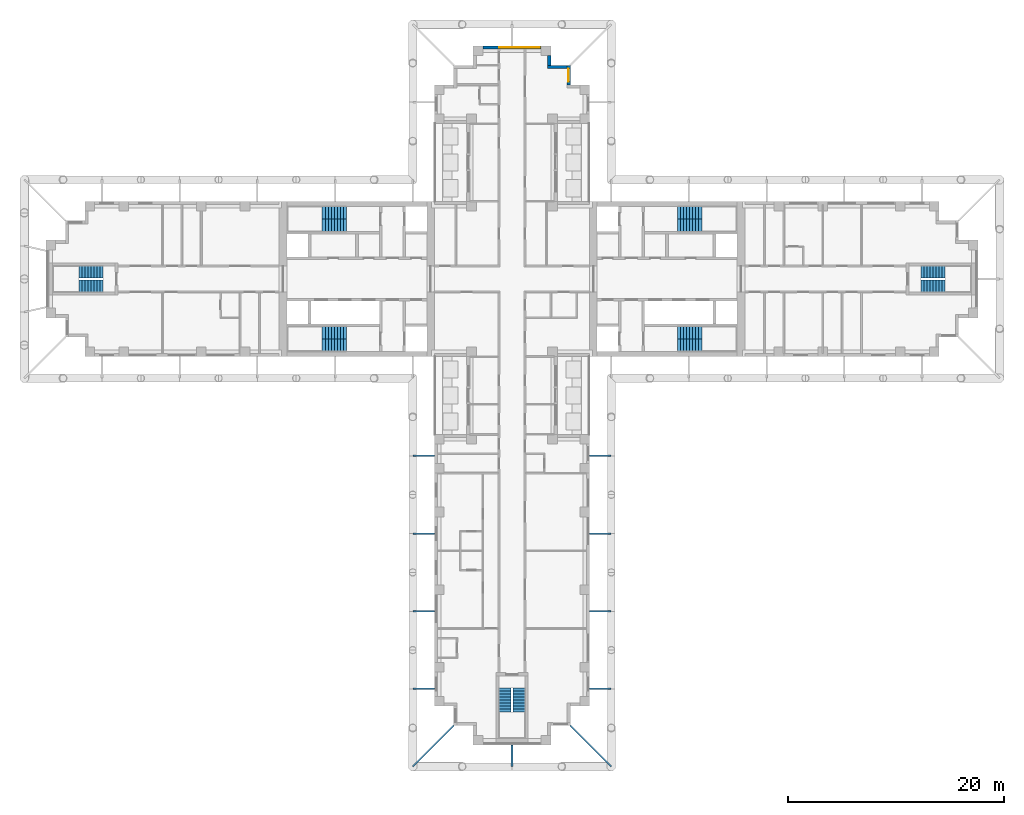
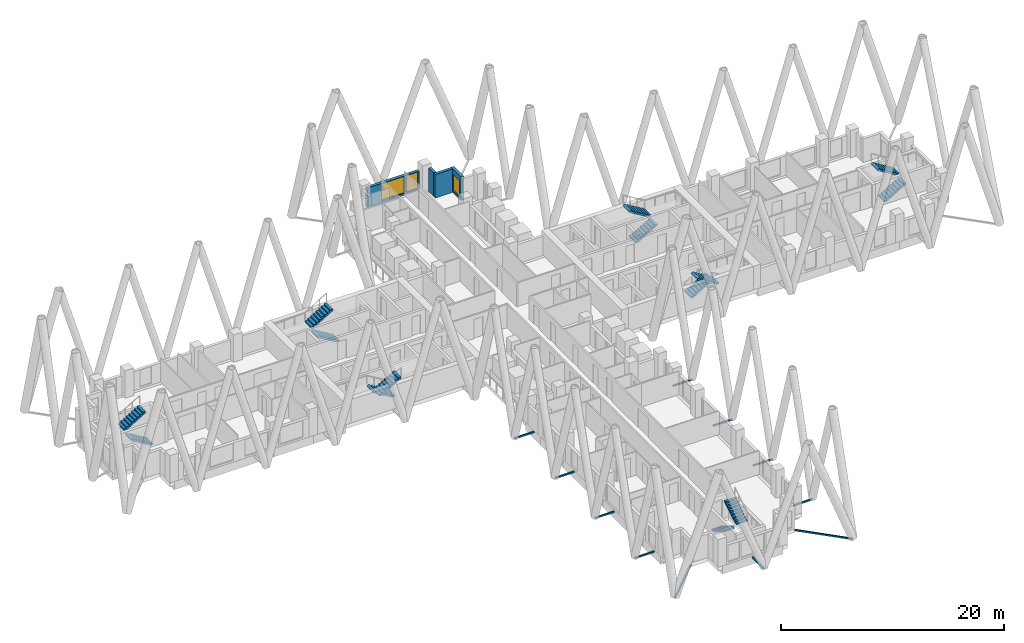
# One storey, part 11 of 14: 14 stair flights, 11 discrete accessories, 4 walls, 3 windows, 3 openings, 7 elements without a shape of their own.
"""IFC4 building model written with IfcOpenShell, lengths in metres."""

import ifcopenshell
import ifcopenshell.guid

model = None  # the IFC model being written
_history = None  # IfcOwnerHistory: only IFC2X3 demands one
_inside = {}  # id of a spatial element -> (the spatial element, [elements in it])
_under = {}  # id of a project, library or spatial element -> (it, [spatial elements below it])
_declared = {}  # id of a project -> (the project, [libraries it declares])
_typed = {}  # id of a type object -> (the type object, [elements of that type])
_made_of = {}  # id of a material, layer set ... -> (it, [elements and type objects made of it])


def new_model(schema):
    """Start an empty IFC model of exactly this schema.

    Asked for "IFC4X3", IfcOpenShell would pick the latest addendum, in which some entities
    have other attributes; the version numbers below select the first issue.
    IFC2X3 requires an IfcOwnerHistory on every rooted entity: one is made here for all.
    """
    global model, _history
    if schema == "IFC4X3":
        model = ifcopenshell.file(schema_version=(4, 3, 0, 0))
    else:
        model = ifcopenshell.file(schema=schema)
    _inside.clear()
    _under.clear()
    _declared.clear()
    _typed.clear()
    _made_of.clear()
    _history = None
    if model.schema == "IFC2X3":
        org = make("IfcOrganization", Name="unknown")
        user = make(
            "IfcPersonAndOrganization",
            ThePerson=make("IfcPerson", FamilyName="unknown"),
            TheOrganization=org,
        )
        app = make(
            "IfcApplication",
            ApplicationDeveloper=org,
            Version="unknown",
            ApplicationFullName="unknown",
            ApplicationIdentifier="unknown",
        )
        _history = make(
            "IfcOwnerHistory",
            OwningUser=user,
            OwningApplication=app,
            ChangeAction="ADDED",
            CreationDate=0,
        )
    return model


def make(cls, **values):
    """One entity of the class cls with the attributes given. An attribute that is None is left unset."""
    return model.create_entity(
        cls, **{name: value for name, value in values.items() if value is not None}
    )


def rooted(cls, **values):
    """An entity with a GlobalId (a new one), such as an element, a storey or a relation."""
    return make(cls, GlobalId=ifcopenshell.guid.new(), OwnerHistory=_history, **values)


def si_unit(unit_type, name, prefix=None):
    """IfcSIUnit, for example si_unit("LENGTHUNIT", "METRE", prefix="MILLI")."""
    return make("IfcSIUnit", UnitType=unit_type, Prefix=prefix, Name=name)


def assignment(units):
    """IfcUnitAssignment: the units of a project."""
    return None if units is None else make("IfcUnitAssignment", Units=units)


def point(xyz):
    """IfcCartesianPoint."""
    return None if xyz is None else make("IfcCartesianPoint", Coordinates=xyz)


def direction(xyz):
    """IfcDirection."""
    return None if xyz is None else make("IfcDirection", DirectionRatios=xyz)


def frame(location, z_axis=None, x_axis=None):
    """IfcAxis2Placement3D, a coordinate frame: its origin and axes. An axis left out is left unset."""
    return make(
        "IfcAxis2Placement3D",
        Location=point(location),
        Axis=direction(z_axis),
        RefDirection=direction(x_axis),
    )


def frame_2d(location, x_axis=None):
    """IfcAxis2Placement2D, a coordinate frame in the plane: its origin and x axis."""
    return make(
        "IfcAxis2Placement2D", Location=point(location), RefDirection=direction(x_axis)
    )


def origin():
    """The frame at (0, 0, 0) with its axes left unset."""
    return frame((0.0, 0.0, 0.0))


def origin_2d():
    """The frame at (0, 0) in the plane with its x axis left unset."""
    return frame_2d((0.0, 0.0))


def place(relative_to, where):
    """IfcLocalPlacement: puts the frame where relative to a parent placement (None: the world)."""
    return make(
        "IfcLocalPlacement", PlacementRelTo=relative_to, RelativePlacement=where
    )


def context(
    kind, dimensions, precision=None, world=None, true_north=None, identifier=None
):
    """IfcGeometricRepresentationContext, for example the 3D "Model" context."""
    return make(
        "IfcGeometricRepresentationContext",
        ContextIdentifier=identifier,
        ContextType=kind,
        CoordinateSpaceDimension=dimensions,
        Precision=precision,
        WorldCoordinateSystem=world,
        TrueNorth=true_north,
    )


def subcontext(parent, identifier, kind, view, scale=None):
    """IfcGeometricRepresentationSubContext, for example "Body" below "Model"."""
    return make(
        "IfcGeometricRepresentationSubContext",
        ContextIdentifier=identifier,
        ContextType=kind,
        ParentContext=parent,
        TargetScale=scale,
        TargetView=view,
    )


def project(units=None, contexts=None):
    """IfcProject with its units and contexts."""
    return rooted(
        "IfcProject",
        Name="project",
        RepresentationContexts=contexts,
        UnitsInContext=assignment(units),
    )


def spatial(cls, under=None, at=None, **own):
    """A site, building, storey or space (cls), placed at a placement, below another one or the project."""
    s = rooted(cls, ObjectPlacement=at, **own)
    if under is not None:
        _under.setdefault(under.id(), (under, []))[1].append(s)
    return s


def polyline(points):
    """IfcPolyline through the points."""
    return make("IfcPolyline", Points=[point(p) for p in points])


def profile(cls, at=None, kind="AREA", **sizes):
    """A parametric profile (cls). Its sizes go by their IFC names, for example OverallWidth=200.0."""
    return make(cls, ProfileType=kind, Position=at, **sizes)


def rectangle(**sizes):
    """IfcRectangleProfileDef."""
    return profile("IfcRectangleProfileDef", **sizes)


def hollow_rectangle(**sizes):
    """IfcRectangleHollowProfileDef."""
    return profile("IfcRectangleHollowProfileDef", **sizes)


def outline(outer, holes=None, kind="AREA"):
    """IfcArbitraryClosedProfileDef: a profile drawn as a closed curve; with holes, ...WithVoids."""
    if holes is None:
        return make("IfcArbitraryClosedProfileDef", ProfileType=kind, OuterCurve=outer)
    return make(
        "IfcArbitraryProfileDefWithVoids",
        ProfileType=kind,
        OuterCurve=outer,
        InnerCurves=holes,
    )


def extrude(swept, where, along, depth):
    """IfcExtrudedAreaSolid: the profile swept, set in the frame where, extruded along a direction by depth."""
    return make(
        "IfcExtrudedAreaSolid",
        SweptArea=swept,
        Position=where,
        ExtrudedDirection=direction(along),
        Depth=depth,
    )


def shape(context_of_items, identifier, shape_type, items):
    """IfcShapeRepresentation: the items that make up one representation, for example the "Body"."""
    return make(
        "IfcShapeRepresentation",
        ContextOfItems=context_of_items,
        RepresentationIdentifier=identifier,
        RepresentationType=shape_type,
        Items=items,
    )


def material(Name=None, Category=None):
    """IfcMaterial."""
    return make("IfcMaterial", Name=Name, Category=Category)


def layer(
    of_material, thickness, ventilated=None, Name=None, Category=None, Priority=None
):
    """IfcMaterialLayer: one layer of a wall or slab, of a material (None: an air gap)."""
    return make(
        "IfcMaterialLayer",
        Material=of_material,
        LayerThickness=thickness,
        IsVentilated=ventilated,
        Name=Name,
        Category=Category,
        Priority=Priority,
    )


def layer_set(layers, Name=None):
    """IfcMaterialLayerSet."""
    return make("IfcMaterialLayerSet", MaterialLayers=layers, LayerSetName=Name)


def made_of(thing, what):
    """Note that an element or type object is made of a material, layer set ...; save() writes the relation."""
    if what is not None:
        _made_of.setdefault(what.id(), (what, []))[1].append(thing)
    return thing


def type_object(cls, material=None, **own):
    """A type object (cls), such as IfcWallType, which elements share."""
    return made_of(rooted(cls, **own), material)


def element(
    cls,
    number,
    at=None,
    inside=None,
    cuts=None,
    type_object=None,
    material=None,
    context=None,
    identifier="Body",
    shape_type=None,
    held_by="IfcProductDefinitionShape",
    body=None,
    shapes=None,
    **own,
):
    """One element of the class cls, such as IfcWall. Its Tag is "e" and its number.

    at: its placement. inside: the storey or other place that contains it. cuts: it is an
    opening in that element (IfcRelVoidsElement). A single representation is given by context,
    identifier, shape_type and body (its items); several are given by shapes. held_by: the class
    of the entity that holds the representations. save() writes the other relations.
    """
    e = rooted(cls, Tag="e%d" % number, ObjectPlacement=at, **own)
    if body is not None:
        shapes = [shape(context, identifier, shape_type, body)]
    if shapes is not None:
        e.Representation = make(held_by, Representations=shapes)
    if inside is not None:
        _inside.setdefault(inside.id(), (inside, []))[1].append(e)
    if cuts is not None:
        rooted(
            "IfcRelVoidsElement", RelatingBuildingElement=cuts, RelatedOpeningElement=e
        )
    if type_object is not None:
        _typed.setdefault(type_object.id(), (type_object, []))[1].append(e)
    return made_of(e, material)


def fill(opening, filler):
    """IfcRelFillsElement: the door or window that sits in an opening."""
    return rooted(
        "IfcRelFillsElement",
        RelatingOpeningElement=opening,
        RelatedBuildingElement=filler,
    )


def aggregate(whole, parts):
    """IfcRelAggregates: a whole, such as a stair, and the parts it consists of."""
    return rooted("IfcRelAggregates", RelatingObject=whole, RelatedObjects=parts)


def save(model, path):
    """Write the relations noted so far, then the file.

    IfcRelAggregates (storeys below a building ...), IfcRelContainedInSpatialStructure (elements
    in a storey), IfcRelDefinesByType, IfcRelAssociatesMaterial and IfcRelDeclares: one each for
    every whole, place, type object, material and project.
    """
    for whole, parts in _under.values():
        aggregate(whole, parts)
    for where, things in _inside.values():
        rooted(
            "IfcRelContainedInSpatialStructure",
            RelatedElements=things,
            RelatingStructure=where,
        )
    for kind, things in _typed.values():
        rooted("IfcRelDefinesByType", RelatedObjects=things, RelatingType=kind)
    for what, things in _made_of.values():
        rooted("IfcRelAssociatesMaterial", RelatedObjects=things, RelatingMaterial=what)
    for by, libraries in _declared.values():
        rooted("IfcRelDeclares", RelatingContext=by, RelatedDefinitions=libraries)
    model.write(path)


model = new_model("IFC4")

# Units and contexts
model_context = context("Model", 3, precision=1e-05, world=origin(), true_north=direction((0.0, 1.0)))
body_context = subcontext(model_context, "Body", "Model", "MODEL_VIEW")
ifc_project = project(units=[si_unit("LENGTHUNIT", "METRE"), si_unit("AREAUNIT", "SQUARE_METRE"), si_unit("VOLUMEUNIT", "CUBIC_METRE"), si_unit("PLANEANGLEUNIT", "RADIAN"), si_unit("MASSUNIT", "GRAM", prefix="KILO")], contexts=[model_context])

# Site, building, storey
site_placement = place(None, origin())
site = spatial("IfcSite", under=ifc_project, at=site_placement, CompositionType="ELEMENT")
building_placement = place(site_placement, origin())
building = spatial("IfcBuilding", under=site, at=building_placement, Name="Fustian Cross Tower", CompositionType="ELEMENT")
storey_placement = place(building_placement, frame((0.0, 0.0, 78.89990234375)))
storey = spatial("IfcBuildingStorey", under=building, at=storey_placement, Name="L24", CompositionType="ELEMENT", Elevation=78.89990234375)

# Wall, opening, window
ifc_material_1 = material(Name="Dark aluminium cladding on insulated backing wall", Category="aluminium")
ifc_layer = layer(ifc_material_1, 0.300048828125)
ifc_layer_set = layer_set([ifc_layer], Name="Dark aluminium cladding on insulated backing wall")
wall_type = type_object("IfcWallType", Name="XW1 EXTERNAL WALL 300", PredefinedType="SOLIDWALL", material=ifc_layer_set)
wall_1_placement = place(storey_placement, frame((5.25, 18.0, 0.0), z_axis=(0.0, 0.0, 1.0), x_axis=(0.0, 1.0, 0.0)))
wall_1 = element("IfcWall", 1, at=wall_1_placement, inside=storey, type_object=wall_type, Name="External wall", PredefinedType="SOLIDWALL", context=body_context, shape_type="SweptSolid", body=[
    extrude(rectangle(XDim=1.800048828125, YDim=0.300048828125, at=frame_2d((0.89990234375, 0.0))), origin(), (0.0, 0.0, 1.0), 2.5751953125),
])
opening_1_placement = place(wall_1_placement, frame((0.300048828125, 0.0, 0.199951171875)))
opening_1 = element("IfcOpeningElement", 2, at=opening_1_placement, cuts=wall_1, Name="Opening WN3", PredefinedType="OPENING", context=body_context, shape_type="SweptSolid", body=[
    extrude(rectangle(XDim=1.199951171875, YDim=1.85009765625, at=frame_2d((0.60009765625, 0.925048828125))), frame((0.0, 0.159912109375, 0.0), z_axis=(0.0, -1.0, 0.0), x_axis=(1.0, 0.0, 0.0)), (0.0, 0.0, 1.0), 0.320068359375),
])
ifc_material_2 = material(Name="Dark anodised aluminium and double glazing", Category="aluminium")
window_type_1 = type_object("IfcWindowType", Name="WN3 WINDOW 1200X1850", PartitioningType="SINGLE_PANEL", PredefinedType="WINDOW", material=ifc_material_2)
window_1_placement = place(opening_1_placement, origin())
window_1 = element("IfcWindow", 3, at=window_1_placement, inside=storey, type_object=window_type_1, Name="Window", OverallHeight=1.85009765625, OverallWidth=1.199951171875, PartitioningType="SINGLE_PANEL", PredefinedType="WINDOW", context=body_context, shape_type="SweptSolid", body=[
    extrude(rectangle(XDim=1.199951171875, YDim=1.85009765625, at=frame_2d((0.60009765625, 0.925048828125))), frame((0.0, 0.030029296875, 0.0), z_axis=(0.0, -1.0, 0.0), x_axis=(1.0, 0.0, 0.0)), (0.0, 0.0, 1.0), 0.06005859375),
])
fill(opening_1, window_1)

# Walls
wall_2_placement = place(storey_placement, frame((5.10009765625, 19.64990234375, 0.0), z_axis=(0.0, 0.0, 1.0), x_axis=(-1.0, 0.0, 0.0)))
element("IfcWall", 4, at=wall_2_placement, inside=storey, type_object=wall_type, Name="External wall", PredefinedType="SOLIDWALL", context=body_context, shape_type="SweptSolid", body=[
    extrude(rectangle(XDim=1.800048828125, YDim=0.300048828125, at=frame_2d((0.89990234375, 0.0))), origin(), (0.0, 0.0, 1.0), 2.5751953125),
])
wall_3_placement = place(storey_placement, frame((3.449951171875, 19.800048828125, 0.0), z_axis=(0.0, 0.0, 1.0), x_axis=(0.0, 1.0, 0.0)))
element("IfcWall", 5, at=wall_3_placement, inside=storey, type_object=wall_type, Name="External wall", PredefinedType="SOLIDWALL", context=body_context, shape_type="SweptSolid", body=[
    extrude(rectangle(XDim=0.89990234375, YDim=0.300048828125, at=frame_2d((0.449951171875, 0.0))), origin(), (0.0, 0.0, 1.0), 2.5751953125),
])

# Wall, openings, windows
wall_4_placement = place(storey_placement, frame((2.699951171875, 21.449951171875, 0.0), z_axis=(0.0, 0.0, 1.0), x_axis=(-1.0, 0.0, 0.0)))
wall_4 = element("IfcWall", 6, at=wall_4_placement, inside=storey, type_object=wall_type, Name="External wall", PredefinedType="SOLIDWALL", context=body_context, shape_type="SweptSolid", body=[
    extrude(rectangle(XDim=5.39990234375, YDim=0.300048828125, at=frame_2d((2.699951171875, 0.0))), origin(), (0.0, 0.0, 1.0), 2.10009765625),
])
opening_2_placement = place(wall_4_placement, frame((1.5, 0.0, 0.199951171875)))
opening_2 = element("IfcOpeningElement", 7, at=opening_2_placement, cuts=wall_4, Name="Opening WN1", PredefinedType="OPENING", context=body_context, shape_type="SweptSolid", body=[
    extrude(rectangle(XDim=2.39990234375, YDim=1.85009765625, at=frame_2d((1.199951171875, 0.925048828125))), frame((0.0, 0.159912109375, 0.0), z_axis=(0.0, -1.0, 0.0), x_axis=(1.0, 0.0, 0.0)), (0.0, 0.0, 1.0), 0.320068359375),
])
opening_3_placement = place(wall_4_placement, frame((0.14990234375, 0.0, 0.199951171875)))
opening_3 = element("IfcOpeningElement", 8, at=opening_3_placement, cuts=wall_4, Name="Opening WN3", PredefinedType="OPENING", context=body_context, shape_type="SweptSolid", body=[
    extrude(rectangle(XDim=1.199951171875, YDim=1.85009765625, at=frame_2d((0.60009765625, 0.925048828125))), frame((0.0, 0.159912109375, 0.0), z_axis=(0.0, -1.0, 0.0), x_axis=(1.0, 0.0, 0.0)), (0.0, 0.0, 1.0), 0.320068359375),
])
ifc_material_3 = material(Name="Dark anodised aluminium and double glazing", Category="aluminium")
window_type_2 = type_object("IfcWindowType", Name="WN1 WINDOW 2400X1850", PartitioningType="SINGLE_PANEL", PredefinedType="WINDOW", material=ifc_material_3)
window_2_placement = place(opening_2_placement, origin())
window_2 = element("IfcWindow", 9, at=window_2_placement, inside=storey, type_object=window_type_2, Name="Window", OverallHeight=1.85009765625, OverallWidth=2.39990234375, PartitioningType="SINGLE_PANEL", PredefinedType="WINDOW", context=body_context, shape_type="SweptSolid", body=[
    extrude(rectangle(XDim=2.39990234375, YDim=1.85009765625, at=frame_2d((1.199951171875, 0.925048828125))), frame((0.0, 0.030029296875, 0.0), z_axis=(0.0, -1.0, 0.0), x_axis=(1.0, 0.0, 0.0)), (0.0, 0.0, 1.0), 0.06005859375),
])
fill(opening_2, window_2)
window_3_placement = place(opening_3_placement, origin())
window_3 = element("IfcWindow", 10, at=window_3_placement, inside=storey, type_object=window_type_1, Name="Window", OverallHeight=1.85009765625, OverallWidth=1.199951171875, PartitioningType="SINGLE_PANEL", PredefinedType="WINDOW", context=body_context, shape_type="SweptSolid", body=[
    extrude(rectangle(XDim=1.199951171875, YDim=1.85009765625, at=frame_2d((0.60009765625, 0.925048828125))), frame((0.0, 0.030029296875, 0.0), z_axis=(0.0, -1.0, 0.0), x_axis=(1.0, 0.0, 0.0)), (0.0, 0.0, 1.0), 0.06005859375),
])
fill(opening_3, window_3)

# Stair, stair flights
ifc_material_4 = material(Name="Concrete C50/60", Category="concrete")
stair_type_1 = type_object("IfcStairType", Name="STAIR 1100 HALF TURN", PredefinedType="HALF_TURN_STAIR", material=ifc_material_4)
stair_1_placement = place(storey_placement, origin())
stair_1 = element("IfcStair", 11, at=stair_1_placement, inside=storey, type_object=stair_type_1, Name="Stair ST6", PredefinedType="HALF_TURN_STAIR")
ifc_material_5 = material(Name="Concrete C50/60", Category="concrete")
stair_flight_type_1 = type_object("IfcStairFlightType", Name="STAIR FLIGHT 1100", PredefinedType="STRAIGHT", material=ifc_material_5)
stair_flight_1_placement = place(storey_placement, frame((-0.64990234375, -37.89990234375, 0.0), z_axis=(0.0, 0.0, 1.0), x_axis=(0.0, -1.0, 0.0)))
stair_flight_1 = element("IfcStairFlight", 12, at=stair_flight_1_placement, type_object=stair_flight_type_1, Name="ST6 flight 1", NumberOfRisers=9, NumberOfTreads=8, PredefinedType="STRAIGHT", RiserHeight=0.166666667, TreadLength=0.28, context=body_context, shape_type="SweptSolid", body=[
    extrude(outline(polyline([(0.0, 0.0), (0.0, 0.166748046875), (0.280029296875, 0.166748046875), (0.280029296875, 0.333251953125), (0.56005859375, 0.333251953125), (0.56005859375, 0.5), (0.840087890625, 0.5), (0.840087890625, 0.666748046875), (1.1201171875, 0.666748046875), (1.1201171875, 0.833251953125), (1.39990234375, 0.833251953125), (1.39990234375, 1.0), (1.679931640625, 1.0), (1.679931640625, 1.166748046875), (1.9599609375, 1.166748046875), (1.9599609375, 1.333251953125), (2.239990234375, 1.333251953125), (2.239990234375, 1.5), (2.239990234375, 1.158935546875), (0.29296875, 0.0), (0.0, 0.0)])), frame((0.0, 0.550048828125, 0.0), z_axis=(0.0, -1.0, 0.0), x_axis=(1.0, 0.0, 0.0)), (0.0, 0.0, 1.0), 1.10009765625),
])
stair_flight_2_placement = place(storey_placement, frame((0.64990234375, -40.139892578125, 1.5), z_axis=(0.0, 0.0, 1.0), x_axis=(0.0, 1.0, 0.0)))
stair_flight_2 = element("IfcStairFlight", 13, at=stair_flight_2_placement, type_object=stair_flight_type_1, Name="ST6 flight 2", NumberOfRisers=9, NumberOfTreads=8, PredefinedType="STRAIGHT", RiserHeight=0.166666667, TreadLength=0.28, context=body_context, shape_type="SweptSolid", body=[
    extrude(outline(polyline([(0.0, 0.0), (0.0, 0.166748046875), (0.280029296875, 0.166748046875), (0.280029296875, 0.333251953125), (0.56005859375, 0.333251953125), (0.56005859375, 0.5), (0.840087890625, 0.5), (0.840087890625, 0.666748046875), (1.1201171875, 0.666748046875), (1.1201171875, 0.833251953125), (1.39990234375, 0.833251953125), (1.39990234375, 1.0), (1.679931640625, 1.0), (1.679931640625, 1.166748046875), (1.9599609375, 1.166748046875), (1.9599609375, 1.333251953125), (2.239990234375, 1.333251953125), (2.239990234375, 1.5), (2.239990234375, 1.158935546875), (0.29296875, 0.0), (0.0, 0.0)])), frame((0.0, 0.550048828125, 0.0), z_axis=(0.0, -1.0, 0.0), x_axis=(1.0, 0.0, 0.0)), (0.0, 0.0, 1.0), 1.10009765625),
])
aggregate(stair_1, [stair_flight_1, stair_flight_2])

stair_2_placement = place(storey_placement, origin())
stair_2 = element("IfcStair", 14, at=stair_2_placement, inside=storey, type_object=stair_type_1, Name="Stair ST8", PredefinedType="HALF_TURN_STAIR")
stair_flight_3_placement = place(storey_placement, frame((37.89990234375, -0.64990234375, 0.0), z_axis=(0.0, 0.0, 1.0), x_axis=(1.0, 0.0, 0.0)))
stair_flight_3 = element("IfcStairFlight", 15, at=stair_flight_3_placement, type_object=stair_flight_type_1, Name="ST8 flight 1", NumberOfRisers=9, NumberOfTreads=8, PredefinedType="STRAIGHT", RiserHeight=0.166666667, TreadLength=0.28, context=body_context, shape_type="SweptSolid", body=[
    extrude(outline(polyline([(0.0, 0.0), (0.0, 0.166748046875), (0.280029296875, 0.166748046875), (0.280029296875, 0.333251953125), (0.56005859375, 0.333251953125), (0.56005859375, 0.5), (0.840087890625, 0.5), (0.840087890625, 0.666748046875), (1.1201171875, 0.666748046875), (1.1201171875, 0.833251953125), (1.39990234375, 0.833251953125), (1.39990234375, 1.0), (1.679931640625, 1.0), (1.679931640625, 1.166748046875), (1.9599609375, 1.166748046875), (1.9599609375, 1.333251953125), (2.239990234375, 1.333251953125), (2.239990234375, 1.5), (2.239990234375, 1.158935546875), (0.29296875, 0.0), (0.0, 0.0)])), frame((0.0, 0.550048828125, 0.0), z_axis=(0.0, -1.0, 0.0), x_axis=(1.0, 0.0, 0.0)), (0.0, 0.0, 1.0), 1.10009765625),
])
stair_flight_4_placement = place(storey_placement, frame((40.139892578125, 0.64990234375, 1.5), z_axis=(0.0, 0.0, 1.0), x_axis=(-1.0, 0.0, 0.0)))
stair_flight_4 = element("IfcStairFlight", 16, at=stair_flight_4_placement, type_object=stair_flight_type_1, Name="ST8 flight 2", NumberOfRisers=9, NumberOfTreads=8, PredefinedType="STRAIGHT", RiserHeight=0.166666667, TreadLength=0.28, context=body_context, shape_type="SweptSolid", body=[
    extrude(outline(polyline([(0.0, 0.0), (0.0, 0.166748046875), (0.280029296875, 0.166748046875), (0.280029296875, 0.333251953125), (0.56005859375, 0.333251953125), (0.56005859375, 0.5), (0.840087890625, 0.5), (0.840087890625, 0.666748046875), (1.1201171875, 0.666748046875), (1.1201171875, 0.833251953125), (1.39990234375, 0.833251953125), (1.39990234375, 1.0), (1.679931640625, 1.0), (1.679931640625, 1.166748046875), (1.9599609375, 1.166748046875), (1.9599609375, 1.333251953125), (2.239990234375, 1.333251953125), (2.239990234375, 1.5), (2.239990234375, 1.158935546875), (0.29296875, 0.0), (0.0, 0.0)])), frame((0.0, 0.550048828125, 0.0), z_axis=(0.0, -1.0, 0.0), x_axis=(1.0, 0.0, 0.0)), (0.0, 0.0, 1.0), 1.10009765625),
])
aggregate(stair_2, [stair_flight_3, stair_flight_4])

stair_3_placement = place(storey_placement, origin())
stair_3 = element("IfcStair", 17, at=stair_3_placement, inside=storey, type_object=stair_type_1, Name="Stair ST9", PredefinedType="HALF_TURN_STAIR")
stair_flight_5_placement = place(storey_placement, frame((-37.89990234375, -0.64990234375, 0.0), z_axis=(0.0, 0.0, 1.0), x_axis=(-1.0, 0.0, 0.0)))
stair_flight_5 = element("IfcStairFlight", 18, at=stair_flight_5_placement, type_object=stair_flight_type_1, Name="ST9 flight 1", NumberOfRisers=9, NumberOfTreads=8, PredefinedType="STRAIGHT", RiserHeight=0.166666667, TreadLength=0.28, context=body_context, shape_type="SweptSolid", body=[
    extrude(outline(polyline([(0.0, 0.0), (0.0, 0.166748046875), (0.280029296875, 0.166748046875), (0.280029296875, 0.333251953125), (0.56005859375, 0.333251953125), (0.56005859375, 0.5), (0.840087890625, 0.5), (0.840087890625, 0.666748046875), (1.1201171875, 0.666748046875), (1.1201171875, 0.833251953125), (1.39990234375, 0.833251953125), (1.39990234375, 1.0), (1.679931640625, 1.0), (1.679931640625, 1.166748046875), (1.9599609375, 1.166748046875), (1.9599609375, 1.333251953125), (2.239990234375, 1.333251953125), (2.239990234375, 1.5), (2.239990234375, 1.158935546875), (0.29296875, 0.0), (0.0, 0.0)])), frame((0.0, 0.550048828125, 0.0), z_axis=(0.0, -1.0, 0.0), x_axis=(1.0, 0.0, 0.0)), (0.0, 0.0, 1.0), 1.10009765625),
])
stair_flight_6_placement = place(storey_placement, frame((-40.139892578125, 0.64990234375, 1.5), z_axis=(0.0, 0.0, 1.0), x_axis=(1.0, 0.0, 0.0)))
stair_flight_6 = element("IfcStairFlight", 19, at=stair_flight_6_placement, type_object=stair_flight_type_1, Name="ST9 flight 2", NumberOfRisers=9, NumberOfTreads=8, PredefinedType="STRAIGHT", RiserHeight=0.166666667, TreadLength=0.28, context=body_context, shape_type="SweptSolid", body=[
    extrude(outline(polyline([(0.0, 0.0), (0.0, 0.166748046875), (0.280029296875, 0.166748046875), (0.280029296875, 0.333251953125), (0.56005859375, 0.333251953125), (0.56005859375, 0.5), (0.840087890625, 0.5), (0.840087890625, 0.666748046875), (1.1201171875, 0.666748046875), (1.1201171875, 0.833251953125), (1.39990234375, 0.833251953125), (1.39990234375, 1.0), (1.679931640625, 1.0), (1.679931640625, 1.166748046875), (1.9599609375, 1.166748046875), (1.9599609375, 1.333251953125), (2.239990234375, 1.333251953125), (2.239990234375, 1.5), (2.239990234375, 1.158935546875), (0.29296875, 0.0), (0.0, 0.0)])), frame((0.0, 0.550048828125, 0.0), z_axis=(0.0, -1.0, 0.0), x_axis=(1.0, 0.0, 0.0)), (0.0, 0.0, 1.0), 1.10009765625),
])
aggregate(stair_3, [stair_flight_5, stair_flight_6])

ifc_material_6 = material(Name="Concrete C50/60", Category="concrete")
stair_type_2 = type_object("IfcStairType", Name="STAIR 1150 HALF TURN", PredefinedType="HALF_TURN_STAIR", material=ifc_material_6)
stair_4_placement = place(storey_placement, origin())
stair_4 = element("IfcStair", 20, at=stair_4_placement, inside=storey, type_object=stair_type_2, Name="Stair ST1", PredefinedType="HALF_TURN_STAIR")
ifc_material_7 = material(Name="Concrete C50/60", Category="concrete")
stair_flight_type_2 = type_object("IfcStairFlightType", Name="STAIR FLIGHT 1150", PredefinedType="STRAIGHT", material=ifc_material_7)
stair_flight_7_placement = place(storey_placement, frame((15.35009765625, 4.97509765625, 0.0), z_axis=(0.0, 0.0, 1.0), x_axis=(1.0, 0.0, 0.0)))
stair_flight_7 = element("IfcStairFlight", 21, at=stair_flight_7_placement, type_object=stair_flight_type_2, Name="ST1 flight 1", NumberOfRisers=9, NumberOfTreads=8, PredefinedType="STRAIGHT", RiserHeight=0.166666667, TreadLength=0.28, context=body_context, shape_type="SweptSolid", body=[
    extrude(outline(polyline([(0.0, 0.0), (0.0, 0.166748046875), (0.280029296875, 0.166748046875), (0.280029296875, 0.333251953125), (0.56005859375, 0.333251953125), (0.56005859375, 0.5), (0.840087890625, 0.5), (0.840087890625, 0.666748046875), (1.1201171875, 0.666748046875), (1.1201171875, 0.833251953125), (1.39990234375, 0.833251953125), (1.39990234375, 1.0), (1.679931640625, 1.0), (1.679931640625, 1.166748046875), (1.9599609375, 1.166748046875), (1.9599609375, 1.333251953125), (2.239990234375, 1.333251953125), (2.239990234375, 1.5), (2.239990234375, 1.158935546875), (0.29296875, 0.0), (0.0, 0.0)])), frame((0.0, 0.574951171875, 0.0), z_axis=(0.0, -1.0, 0.0), x_axis=(1.0, 0.0, 0.0)), (0.0, 0.0, 1.0), 1.14990234375),
])
stair_flight_8_placement = place(storey_placement, frame((17.590087890625, 6.125, 1.5), z_axis=(0.0, 0.0, 1.0), x_axis=(-1.0, 0.0, 0.0)))
stair_flight_8 = element("IfcStairFlight", 22, at=stair_flight_8_placement, type_object=stair_flight_type_2, Name="ST1 flight 2", NumberOfRisers=9, NumberOfTreads=8, PredefinedType="STRAIGHT", RiserHeight=0.166666667, TreadLength=0.28, context=body_context, shape_type="SweptSolid", body=[
    extrude(outline(polyline([(0.0, 0.0), (0.0, 0.166748046875), (0.280029296875, 0.166748046875), (0.280029296875, 0.333251953125), (0.56005859375, 0.333251953125), (0.56005859375, 0.5), (0.840087890625, 0.5), (0.840087890625, 0.666748046875), (1.1201171875, 0.666748046875), (1.1201171875, 0.833251953125), (1.39990234375, 0.833251953125), (1.39990234375, 1.0), (1.679931640625, 1.0), (1.679931640625, 1.166748046875), (1.9599609375, 1.166748046875), (1.9599609375, 1.333251953125), (2.239990234375, 1.333251953125), (2.239990234375, 1.5), (2.239990234375, 1.158935546875), (0.29296875, 0.0), (0.0, 0.0)])), frame((0.0, 0.574951171875, 0.0), z_axis=(0.0, -1.0, 0.0), x_axis=(1.0, 0.0, 0.0)), (0.0, 0.0, 1.0), 1.14990234375),
])
aggregate(stair_4, [stair_flight_7, stair_flight_8])

stair_5_placement = place(storey_placement, origin())
stair_5 = element("IfcStair", 23, at=stair_5_placement, inside=storey, type_object=stair_type_2, Name="Stair ST2", PredefinedType="HALF_TURN_STAIR")
stair_flight_9_placement = place(storey_placement, frame((15.35009765625, -4.97509765625, 0.0), z_axis=(0.0, 0.0, 1.0), x_axis=(1.0, 0.0, 0.0)))
stair_flight_9 = element("IfcStairFlight", 24, at=stair_flight_9_placement, type_object=stair_flight_type_2, Name="ST2 flight 1", NumberOfRisers=9, NumberOfTreads=8, PredefinedType="STRAIGHT", RiserHeight=0.166666667, TreadLength=0.28, context=body_context, shape_type="SweptSolid", body=[
    extrude(outline(polyline([(0.0, 0.0), (0.0, 0.166748046875), (0.280029296875, 0.166748046875), (0.280029296875, 0.333251953125), (0.56005859375, 0.333251953125), (0.56005859375, 0.5), (0.840087890625, 0.5), (0.840087890625, 0.666748046875), (1.1201171875, 0.666748046875), (1.1201171875, 0.833251953125), (1.39990234375, 0.833251953125), (1.39990234375, 1.0), (1.679931640625, 1.0), (1.679931640625, 1.166748046875), (1.9599609375, 1.166748046875), (1.9599609375, 1.333251953125), (2.239990234375, 1.333251953125), (2.239990234375, 1.5), (2.239990234375, 1.158935546875), (0.29296875, 0.0), (0.0, 0.0)])), frame((0.0, 0.574951171875, 0.0), z_axis=(0.0, -1.0, 0.0), x_axis=(1.0, 0.0, 0.0)), (0.0, 0.0, 1.0), 1.14990234375),
])
stair_flight_10_placement = place(storey_placement, frame((17.590087890625, -6.125, 1.5), z_axis=(0.0, 0.0, 1.0), x_axis=(-1.0, 0.0, 0.0)))
stair_flight_10 = element("IfcStairFlight", 25, at=stair_flight_10_placement, type_object=stair_flight_type_2, Name="ST2 flight 2", NumberOfRisers=9, NumberOfTreads=8, PredefinedType="STRAIGHT", RiserHeight=0.166666667, TreadLength=0.28, context=body_context, shape_type="SweptSolid", body=[
    extrude(outline(polyline([(0.0, 0.0), (0.0, 0.166748046875), (0.280029296875, 0.166748046875), (0.280029296875, 0.333251953125), (0.56005859375, 0.333251953125), (0.56005859375, 0.5), (0.840087890625, 0.5), (0.840087890625, 0.666748046875), (1.1201171875, 0.666748046875), (1.1201171875, 0.833251953125), (1.39990234375, 0.833251953125), (1.39990234375, 1.0), (1.679931640625, 1.0), (1.679931640625, 1.166748046875), (1.9599609375, 1.166748046875), (1.9599609375, 1.333251953125), (2.239990234375, 1.333251953125), (2.239990234375, 1.5), (2.239990234375, 1.158935546875), (0.29296875, 0.0), (0.0, 0.0)])), frame((0.0, 0.574951171875, 0.0), z_axis=(0.0, -1.0, 0.0), x_axis=(1.0, 0.0, 0.0)), (0.0, 0.0, 1.0), 1.14990234375),
])
aggregate(stair_5, [stair_flight_9, stair_flight_10])

stair_6_placement = place(storey_placement, origin())
stair_6 = element("IfcStair", 26, at=stair_6_placement, inside=storey, type_object=stair_type_2, Name="Stair ST3", PredefinedType="HALF_TURN_STAIR")
stair_flight_11_placement = place(storey_placement, frame((-15.35009765625, 4.97509765625, 0.0), z_axis=(0.0, 0.0, 1.0), x_axis=(-1.0, 0.0, 0.0)))
stair_flight_11 = element("IfcStairFlight", 27, at=stair_flight_11_placement, type_object=stair_flight_type_2, Name="ST3 flight 1", NumberOfRisers=9, NumberOfTreads=8, PredefinedType="STRAIGHT", RiserHeight=0.166666667, TreadLength=0.28, context=body_context, shape_type="SweptSolid", body=[
    extrude(outline(polyline([(0.0, 0.0), (0.0, 0.166748046875), (0.280029296875, 0.166748046875), (0.280029296875, 0.333251953125), (0.56005859375, 0.333251953125), (0.56005859375, 0.5), (0.840087890625, 0.5), (0.840087890625, 0.666748046875), (1.1201171875, 0.666748046875), (1.1201171875, 0.833251953125), (1.39990234375, 0.833251953125), (1.39990234375, 1.0), (1.679931640625, 1.0), (1.679931640625, 1.166748046875), (1.9599609375, 1.166748046875), (1.9599609375, 1.333251953125), (2.239990234375, 1.333251953125), (2.239990234375, 1.5), (2.239990234375, 1.158935546875), (0.29296875, 0.0), (0.0, 0.0)])), frame((0.0, 0.574951171875, 0.0), z_axis=(0.0, -1.0, 0.0), x_axis=(1.0, 0.0, 0.0)), (0.0, 0.0, 1.0), 1.14990234375),
])
stair_flight_12_placement = place(storey_placement, frame((-17.590087890625, 6.125, 1.5), z_axis=(0.0, 0.0, 1.0), x_axis=(1.0, 0.0, 0.0)))
stair_flight_12 = element("IfcStairFlight", 28, at=stair_flight_12_placement, type_object=stair_flight_type_2, Name="ST3 flight 2", NumberOfRisers=9, NumberOfTreads=8, PredefinedType="STRAIGHT", RiserHeight=0.166666667, TreadLength=0.28, context=body_context, shape_type="SweptSolid", body=[
    extrude(outline(polyline([(0.0, 0.0), (0.0, 0.166748046875), (0.280029296875, 0.166748046875), (0.280029296875, 0.333251953125), (0.56005859375, 0.333251953125), (0.56005859375, 0.5), (0.840087890625, 0.5), (0.840087890625, 0.666748046875), (1.1201171875, 0.666748046875), (1.1201171875, 0.833251953125), (1.39990234375, 0.833251953125), (1.39990234375, 1.0), (1.679931640625, 1.0), (1.679931640625, 1.166748046875), (1.9599609375, 1.166748046875), (1.9599609375, 1.333251953125), (2.239990234375, 1.333251953125), (2.239990234375, 1.5), (2.239990234375, 1.158935546875), (0.29296875, 0.0), (0.0, 0.0)])), frame((0.0, 0.574951171875, 0.0), z_axis=(0.0, -1.0, 0.0), x_axis=(1.0, 0.0, 0.0)), (0.0, 0.0, 1.0), 1.14990234375),
])
aggregate(stair_6, [stair_flight_11, stair_flight_12])

stair_7_placement = place(storey_placement, origin())
stair_7 = element("IfcStair", 29, at=stair_7_placement, inside=storey, type_object=stair_type_2, Name="Stair ST4", PredefinedType="HALF_TURN_STAIR")
stair_flight_13_placement = place(storey_placement, frame((-15.35009765625, -4.97509765625, 0.0), z_axis=(0.0, 0.0, 1.0), x_axis=(-1.0, 0.0, 0.0)))
stair_flight_13 = element("IfcStairFlight", 30, at=stair_flight_13_placement, type_object=stair_flight_type_2, Name="ST4 flight 1", NumberOfRisers=9, NumberOfTreads=8, PredefinedType="STRAIGHT", RiserHeight=0.166666667, TreadLength=0.28, context=body_context, shape_type="SweptSolid", body=[
    extrude(outline(polyline([(0.0, 0.0), (0.0, 0.166748046875), (0.280029296875, 0.166748046875), (0.280029296875, 0.333251953125), (0.56005859375, 0.333251953125), (0.56005859375, 0.5), (0.840087890625, 0.5), (0.840087890625, 0.666748046875), (1.1201171875, 0.666748046875), (1.1201171875, 0.833251953125), (1.39990234375, 0.833251953125), (1.39990234375, 1.0), (1.679931640625, 1.0), (1.679931640625, 1.166748046875), (1.9599609375, 1.166748046875), (1.9599609375, 1.333251953125), (2.239990234375, 1.333251953125), (2.239990234375, 1.5), (2.239990234375, 1.158935546875), (0.29296875, 0.0), (0.0, 0.0)])), frame((0.0, 0.574951171875, 0.0), z_axis=(0.0, -1.0, 0.0), x_axis=(1.0, 0.0, 0.0)), (0.0, 0.0, 1.0), 1.14990234375),
])
stair_flight_14_placement = place(storey_placement, frame((-17.590087890625, -6.125, 1.5), z_axis=(0.0, 0.0, 1.0), x_axis=(1.0, 0.0, 0.0)))
stair_flight_14 = element("IfcStairFlight", 31, at=stair_flight_14_placement, type_object=stair_flight_type_2, Name="ST4 flight 2", NumberOfRisers=9, NumberOfTreads=8, PredefinedType="STRAIGHT", RiserHeight=0.166666667, TreadLength=0.28, context=body_context, shape_type="SweptSolid", body=[
    extrude(outline(polyline([(0.0, 0.0), (0.0, 0.166748046875), (0.280029296875, 0.166748046875), (0.280029296875, 0.333251953125), (0.56005859375, 0.333251953125), (0.56005859375, 0.5), (0.840087890625, 0.5), (0.840087890625, 0.666748046875), (1.1201171875, 0.666748046875), (1.1201171875, 0.833251953125), (1.39990234375, 0.833251953125), (1.39990234375, 1.0), (1.679931640625, 1.0), (1.679931640625, 1.166748046875), (1.9599609375, 1.166748046875), (1.9599609375, 1.333251953125), (2.239990234375, 1.333251953125), (2.239990234375, 1.5), (2.239990234375, 1.158935546875), (0.29296875, 0.0), (0.0, 0.0)])), frame((0.0, 0.574951171875, 0.0), z_axis=(0.0, -1.0, 0.0), x_axis=(1.0, 0.0, 0.0)), (0.0, 0.0, 1.0), 1.14990234375),
])
aggregate(stair_7, [stair_flight_13, stair_flight_14])

# Discrete accessories
ifc_material_8 = material(Name="Steel S355", Category="steel")
for number, where, z_axis, x_axis, name in (
    (32, (-9.199951171875, -16.39990234375, -0.14990234375), (1.0, 0.0, 0.0), (0.0, 1.0, 0.0), "Diagrid node bracket L24-27"),
    (33, (-9.199951171875, -23.60009765625, -0.14990234375), (1.0, 0.0, 0.0), (0.0, 1.0, 0.0), "Diagrid node bracket L24-28"),
    (34, (-9.199951171875, -30.800048828125, -0.14990234375), (1.0, 0.0, 0.0), (0.0, 1.0, 0.0), "Diagrid node bracket L24-29"),
    (35, (-9.199951171875, -38.0, -0.14990234375), (1.0, 0.0, 0.0), (0.0, 1.0, 0.0), "Diagrid node bracket L24-30"),
):
    element("IfcDiscreteAccessory", number, at=place(storey_placement, frame(where, z_axis=z_axis, x_axis=x_axis)), inside=storey, material=ifc_material_8, Name=name, PredefinedType="BRACKET", context=body_context, shape_type="SweptSolid", body=[
        extrude(hollow_rectangle(XDim=0.14990234375, YDim=0.14990234375, WallThickness=0.010009765625, at=origin_2d()), origin(), (0.0, 0.0, 1.0), 2.0),
    ])
discrete_accessory_1_placement = place(storey_placement, frame((-9.199951171875, -45.199951171875, -0.14990234375), z_axis=(0.707106781187, 0.707106781187, 0.0), x_axis=(-0.707106781187, 0.707106781187, 0.0)))
element("IfcDiscreteAccessory", 36, at=discrete_accessory_1_placement, inside=storey, material=ifc_material_8, Name="Diagrid node bracket L24-31", PredefinedType="BRACKET", context=body_context, shape_type="SweptSolid", body=[
    extrude(hollow_rectangle(XDim=0.14990234375, YDim=0.14990234375, WallThickness=0.010009765625, at=origin_2d()), origin(), (0.0, 0.0, 1.0), 5.3740234375),
])
discrete_accessory_2_placement = place(storey_placement, frame((0.0, -45.199951171875, -0.14990234375), z_axis=(0.0, 1.0, 0.0), x_axis=(-1.0, 0.0, 0.0)))
element("IfcDiscreteAccessory", 37, at=discrete_accessory_2_placement, inside=storey, material=ifc_material_8, Name="Diagrid node bracket L24-32", PredefinedType="BRACKET", context=body_context, shape_type="SweptSolid", body=[
    extrude(hollow_rectangle(XDim=0.14990234375, YDim=0.14990234375, WallThickness=0.010009765625, at=origin_2d()), origin(), (0.0, 0.0, 1.0), 2.0),
])
discrete_accessory_3_placement = place(storey_placement, frame((9.199951171875, -45.199951171875, -0.14990234375), z_axis=(-0.707106781187, 0.707106781187, 0.0), x_axis=(-0.707106781187, -0.707106781187, 0.0)))
element("IfcDiscreteAccessory", 38, at=discrete_accessory_3_placement, inside=storey, material=ifc_material_8, Name="Diagrid node bracket L24-33", PredefinedType="BRACKET", context=body_context, shape_type="SweptSolid", body=[
    extrude(hollow_rectangle(XDim=0.14990234375, YDim=0.14990234375, WallThickness=0.010009765625, at=origin_2d()), origin(), (0.0, 0.0, 1.0), 5.3740234375),
])
for number, where, z_axis, x_axis, name in (
    (39, (9.199951171875, -38.0, -0.14990234375), (-1.0, 0.0, 0.0), (0.0, -1.0, 0.0), "Diagrid node bracket L24-34"),
    (40, (9.199951171875, -30.800048828125, -0.14990234375), (-1.0, 0.0, 0.0), (0.0, -1.0, 0.0), "Diagrid node bracket L24-35"),
    (41, (9.199951171875, -23.60009765625, -0.14990234375), (-1.0, 0.0, 0.0), (0.0, -1.0, 0.0), "Diagrid node bracket L24-36"),
    (42, (9.199951171875, -16.39990234375, -0.14990234375), (-1.0, 0.0, 0.0), (0.0, -1.0, 0.0), "Diagrid node bracket L24-37"),
):
    element("IfcDiscreteAccessory", number, at=place(storey_placement, frame(where, z_axis=z_axis, x_axis=x_axis)), inside=storey, material=ifc_material_8, Name=name, PredefinedType="BRACKET", context=body_context, shape_type="SweptSolid", body=[
        extrude(hollow_rectangle(XDim=0.14990234375, YDim=0.14990234375, WallThickness=0.010009765625, at=origin_2d()), origin(), (0.0, 0.0, 1.0), 2.0),
    ])

save(model, "model.ifc")
